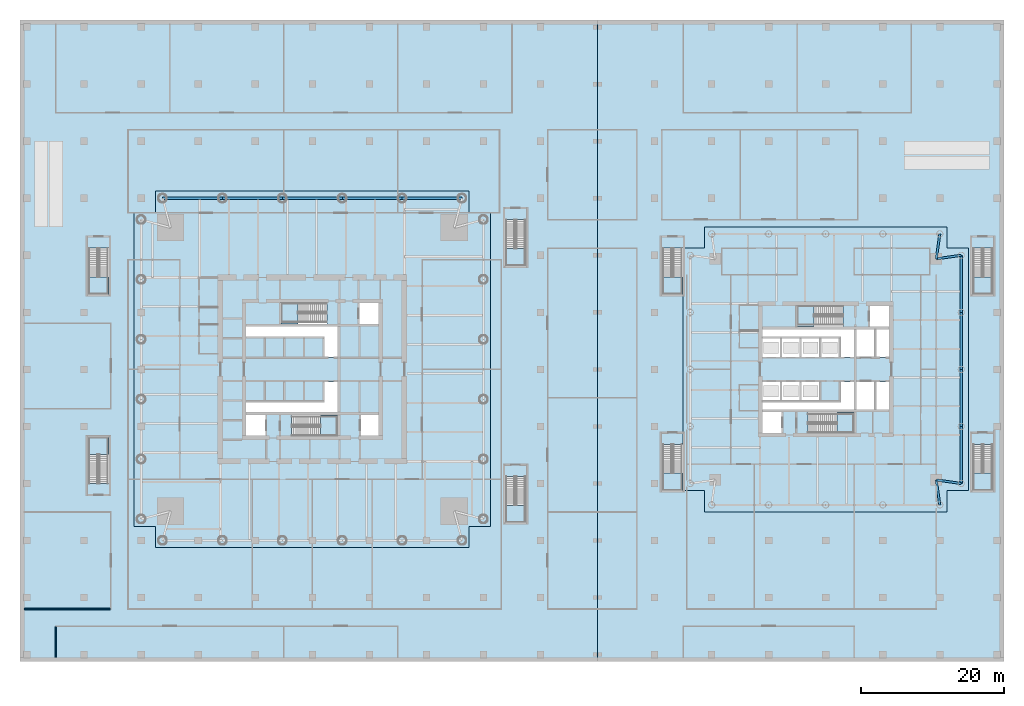
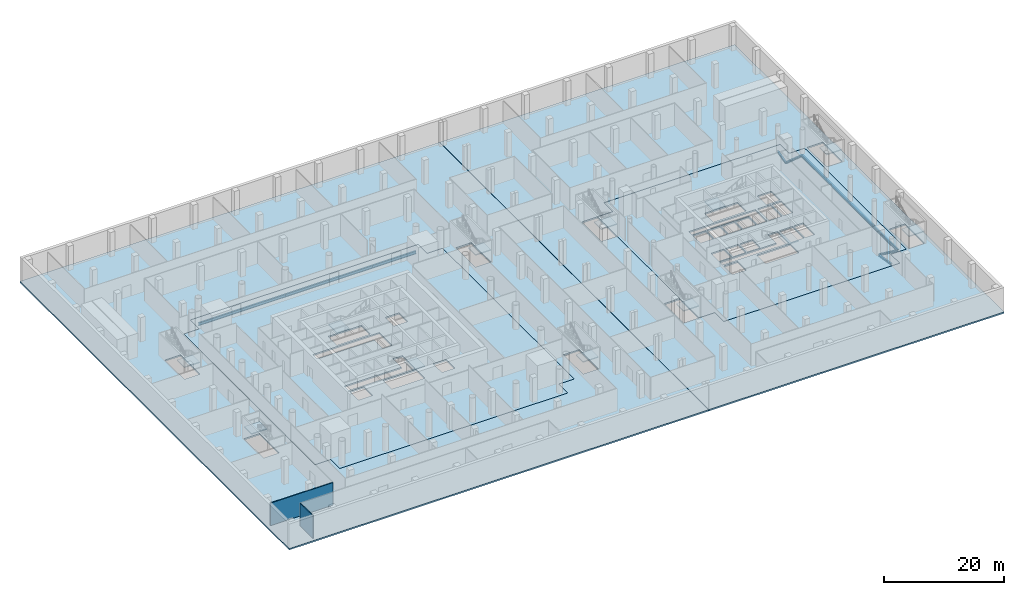
# One storey, part 6 of 22: 16 slabs, 13 beams, 2 walls, 12 elements without a shape of their own.
"""IFC4 building model written with IfcOpenShell, lengths in metres."""

from ifc_helpers import new_model, si_unit, direction, frame, frame_2d, origin, origin_2d, place, context, subcontext, project, spatial, polyline, rectangle, i_section, outline, extrude, material, layer, layer_set, material_profile, profile_set, type_object, element, aggregate, save


model = new_model("IFC4")

# Units and contexts
model_context = context("Model", 3, precision=1e-05, world=origin(), true_north=direction((0.0, 1.0)))
body_context = subcontext(model_context, "Body", "Model", "MODEL_VIEW")
ifc_project = project(units=[si_unit("LENGTHUNIT", "METRE"), si_unit("AREAUNIT", "SQUARE_METRE"), si_unit("VOLUMEUNIT", "CUBIC_METRE"), si_unit("PLANEANGLEUNIT", "RADIAN"), si_unit("MASSUNIT", "GRAM", prefix="KILO")], contexts=[model_context])

# Site, building, storey
site_placement = place(None, origin())
site = spatial("IfcSite", under=ifc_project, at=site_placement, CompositionType="ELEMENT")
building_placement = place(site_placement, origin())
building = spatial("IfcBuilding", under=site, at=building_placement, Name="Ostroluk Exchange", CompositionType="ELEMENT")
storey_placement = place(building_placement, frame((0.0, 0.0, -5.0)))
storey = spatial("IfcBuildingStorey", under=building, at=storey_placement, Name="B1", CompositionType="ELEMENT", Elevation=-5.0)

# Beams
ifc_material_1 = material(Name="Steel S355", Category="steel")
ifc_material_profile_1 = material_profile(ifc_material_1, i_section(OverallWidth=0.300048828125, OverallDepth=0.39990234375, WebThickness=0.013427734375, FlangeThickness=0.02392578125, FilletRadius=0.027099609375, at=origin_2d()), Name="HEB 400")
ifc_profile_set_1 = profile_set([ifc_material_profile_1], Name="Steel S355")
beam_type_1 = type_object("IfcBeamType", Name="Corner edge beam HEB 400", PredefinedType="SPANDREL", material=ifc_profile_set_1)
for number, where, z_axis, x_axis, name in (
    (1, (132.5, 61.5, -0.5), (0.989949493661, 0.141421356237, 0.0), (-0.141421356237, 0.989949493661, 0.0), "T2 east corner edge beam a"),
    (2, (132.5, 61.5, -0.5), (0.141421356237, 0.989949493661, 0.0), (-0.989949493661, 0.141421356237, 0.0), "T2 east corner edge beam b"),
    (3, (132.5, 30.5, -0.5), (0.141421356237, -0.989949493661, 0.0), (0.989949493661, 0.141421356237, 0.0), "T2 south corner edge beam a"),
    (4, (132.5, 30.5, -0.5), (0.989949493661, -0.141421356237, 0.0), (0.141421356237, 0.989949493661, 0.0), "T2 south corner edge beam b"),
):
    element("IfcBeam", number, at=place(storey_placement, frame(where, z_axis=z_axis, x_axis=x_axis)), inside=storey, type_object=beam_type_1, Name=name, PredefinedType="SPANDREL", context=body_context, shape_type="SweptSolid", body=[
        extrude(i_section(OverallWidth=0.300048828125, OverallDepth=0.39990234375, WebThickness=0.013427734375, FlangeThickness=0.02392578125, FilletRadius=0.027099609375, at=origin_2d()), origin(), (0.0, 0.0, 1.0), 3.53564453125),
    ])
ifc_material_2 = material(Name="Steel S355", Category="steel")
ifc_material_profile_2 = material_profile(ifc_material_2, i_section(OverallWidth=0.300048828125, OverallDepth=0.550048828125, WebThickness=0.014892578125, FlangeThickness=0.029052734375, FilletRadius=0.027099609375, at=origin_2d()), Name="HEB 550")
ifc_profile_set_2 = profile_set([ifc_material_profile_2], Name="Steel S355")
beam_type_2 = type_object("IfcBeamType", Name="Moment-connected edge beam HEB 550", PredefinedType="SPANDREL", material=ifc_profile_set_2)
for number, where, z_axis, x_axis, name in (
    (5, (136.0, 30.0, -0.574951171875), (0.0, 1.0, 0.0), (-1.0, 0.0, 0.0), "T2 east edge beam 1"),
    (6, (136.0, 38.0, -0.574951171875), (0.0, 1.0, 0.0), (-1.0, 0.0, 0.0), "T2 east edge beam 2"),
    (7, (136.0, 46.0, -0.574951171875), (0.0, 1.0, 0.0), (-1.0, 0.0, 0.0), "T2 east edge beam 3"),
    (8, (136.0, 54.0, -0.574951171875), (0.0, 1.0, 0.0), (-1.0, 0.0, 0.0), "T2 east edge beam 4"),
):
    element("IfcBeam", number, at=place(storey_placement, frame(where, z_axis=z_axis, x_axis=x_axis)), inside=storey, type_object=beam_type_2, Name=name, PredefinedType="SPANDREL", context=body_context, shape_type="SweptSolid", body=[
        extrude(i_section(OverallWidth=0.300048828125, OverallDepth=0.550048828125, WebThickness=0.014892578125, FlangeThickness=0.029052734375, FilletRadius=0.027099609375, at=origin_2d()), origin(), (0.0, 0.0, 1.0), 8.0),
    ])
ifc_material_3 = material(Name="Steel S355", Category="steel")
ifc_material_profile_3 = material_profile(ifc_material_3, i_section(OverallWidth=0.300048828125, OverallDepth=0.60009765625, WebThickness=0.015380859375, FlangeThickness=0.030029296875, FilletRadius=0.027099609375, at=origin_2d()), Name="HEB 600")
ifc_profile_set_3 = profile_set([ifc_material_profile_3], Name="Steel S355")
beam_type_3 = type_object("IfcBeamType", Name="Moment-connected edge beam HEB 600", PredefinedType="SPANDREL", material=ifc_profile_set_3)
beam_1_placement = place(storey_placement, frame((66.0, 70.0, -0.60009765625), z_axis=(-1.0, 0.0, 0.0), x_axis=(0.0, -1.0, 0.0)))
element("IfcBeam", 9, at=beam_1_placement, inside=storey, type_object=beam_type_3, Name="T1 north edge beam 1", PredefinedType="SPANDREL", context=body_context, shape_type="SweptSolid", body=[
    extrude(i_section(OverallWidth=0.300048828125, OverallDepth=0.60009765625, WebThickness=0.015380859375, FlangeThickness=0.030029296875, FilletRadius=0.027099609375, at=origin_2d()), origin(), (0.0, 0.0, 1.0), 8.39990234375),
])
beam_2_placement = place(storey_placement, frame((57.60009765625, 70.0, -0.60009765625), z_axis=(-1.0, 0.0, 0.0), x_axis=(0.0, -1.0, 0.0)))
element("IfcBeam", 10, at=beam_2_placement, inside=storey, type_object=beam_type_3, Name="T1 north edge beam 2", PredefinedType="SPANDREL", context=body_context, shape_type="SweptSolid", body=[
    extrude(i_section(OverallWidth=0.300048828125, OverallDepth=0.60009765625, WebThickness=0.015380859375, FlangeThickness=0.030029296875, FilletRadius=0.027099609375, at=origin_2d()), origin(), (0.0, 0.0, 1.0), 8.400146484375),
])
beam_3_placement = place(storey_placement, frame((49.199951171875, 70.0, -0.60009765625), z_axis=(-1.0, 0.0, 0.0), x_axis=(0.0, -1.0, 0.0)))
element("IfcBeam", 11, at=beam_3_placement, inside=storey, type_object=beam_type_3, Name="T1 north edge beam 3", PredefinedType="SPANDREL", context=body_context, shape_type="SweptSolid", body=[
    extrude(i_section(OverallWidth=0.300048828125, OverallDepth=0.60009765625, WebThickness=0.015380859375, FlangeThickness=0.030029296875, FilletRadius=0.027099609375, at=origin_2d()), origin(), (0.0, 0.0, 1.0), 8.39990234375),
])
beam_4_placement = place(storey_placement, frame((40.800048828125, 70.0, -0.60009765625), z_axis=(-1.0, 0.0, 0.0), x_axis=(0.0, -1.0, 0.0)))
element("IfcBeam", 12, at=beam_4_placement, inside=storey, type_object=beam_type_3, Name="T1 north edge beam 4", PredefinedType="SPANDREL", context=body_context, shape_type="SweptSolid", body=[
    extrude(i_section(OverallWidth=0.300048828125, OverallDepth=0.60009765625, WebThickness=0.015380859375, FlangeThickness=0.030029296875, FilletRadius=0.027099609375, at=origin_2d()), origin(), (0.0, 0.0, 1.0), 8.400146484375),
])
beam_5_placement = place(storey_placement, frame((32.39990234375, 70.0, -0.60009765625), z_axis=(-1.0, 0.0, 0.0), x_axis=(0.0, -1.0, 0.0)))
element("IfcBeam", 13, at=beam_5_placement, inside=storey, type_object=beam_type_3, Name="T1 north edge beam 5", PredefinedType="SPANDREL", context=body_context, shape_type="SweptSolid", body=[
    extrude(i_section(OverallWidth=0.300048828125, OverallDepth=0.60009765625, WebThickness=0.015380859375, FlangeThickness=0.030029296875, FilletRadius=0.027099609375, at=origin_2d()), origin(), (0.0, 0.0, 1.0), 8.39990234375),
])

# Slabs
ifc_material_4 = material(Name="Concrete C35/45", Category="concrete")
ifc_layer_1 = layer(ifc_material_4, 0.300048828125)
ifc_layer_set_1 = layer_set([ifc_layer_1], Name="Podium flat slab 300")
slab_type_1 = type_object("IfcSlabType", Name="Podium flat slab 300", PredefinedType="FLOOR", material=ifc_layer_set_1)
slab_1_placement = place(storey_placement, frame((0.0, 0.0, -0.300048828125)))
element("IfcSlab", 14, at=slab_1_placement, inside=storey, type_object=slab_type_1, Name="Podium slab B1", PredefinedType="FLOOR", context=body_context, shape_type="SweptSolid", body=[
    extrude(outline(polyline([(84.97509765625, 95.0), (84.97509765625, 5.0), (4.0, 5.0), (4.0, 95.0), (84.97509765625, 95.0)]), holes=[polyline([(23.0, 24.0), (23.0, 21.0), (67.0, 21.0), (67.0, 24.0), (70.0, 24.0), (70.0, 68.0), (67.0, 68.0), (67.0, 71.0), (23.0, 71.0), (23.0, 68.0), (20.0, 68.0), (20.0, 24.0), (23.0, 24.0)]), polyline([(16.5, 36.5), (13.5, 36.5), (13.5, 30.010009765625), (16.5, 30.010009765625), (16.5, 36.5)]), polyline([(16.5, 56.5), (16.5, 62.989990234375), (13.5, 62.989990234375), (13.5, 56.5), (16.5, 56.5)]), polyline([(72.0, 24.5), (75.0, 24.5), (75.0, 30.989990234375), (72.0, 30.989990234375), (72.0, 24.5)]), polyline([(72.0, 66.989990234375), (72.0, 60.5), (75.0, 60.5), (75.0, 66.989990234375), (72.0, 66.989990234375)])]), origin(), (0.0, 0.0, 1.0), 0.300048828125),
])
slab_2_placement = place(storey_placement, frame((0.0, 0.0, -0.300048828125)))
element("IfcSlab", 15, at=slab_2_placement, inside=storey, type_object=slab_type_1, Name="Podium slab B1", PredefinedType="FLOOR", context=body_context, shape_type="SweptSolid", body=[
    extrude(outline(polyline([(142.0, 95.0), (142.0, 5.0), (85.02490234375, 5.0), (85.02490234375, 95.0), (142.0, 95.0)]), holes=[polyline([(97.0, 62.989990234375), (94.0, 62.989990234375), (94.0, 56.5), (97.0, 56.5), (97.0, 35.489990234375), (94.0, 35.489990234375), (94.0, 29.0), (100.0, 29.0), (100.0, 26.0), (134.0, 26.0), (134.0, 29.0), (137.0, 29.0), (137.0, 63.0), (134.0, 63.0), (134.0, 66.0), (100.0, 66.0), (100.0, 63.0), (97.0, 63.0), (97.0, 62.989990234375)]), polyline([(137.5, 29.0), (140.5, 29.0), (140.5, 35.489990234375), (137.5, 35.489990234375), (137.5, 29.0)]), polyline([(137.5, 62.989990234375), (137.5, 56.5), (140.5, 56.5), (140.5, 62.989990234375), (137.5, 62.989990234375)])]), origin(), (0.0, 0.0, 1.0), 0.300048828125),
])

# Stair, slab
ifc_material_5 = material(Name="Concrete C30/37", Category="concrete")
stair_type = type_object("IfcStairType", Name="Exit stair half turn 5000", PredefinedType="HALF_TURN_STAIR", material=ifc_material_5)
stair_1_placement = place(storey_placement, origin())
stair_1 = element("IfcStair", 16, at=stair_1_placement, inside=storey, type_object=stair_type, Name="Stair T1-S1 B1", PredefinedType="HALF_TURN_STAIR")
ifc_material_6 = material(Name="Concrete C30/37", Category="concrete")
ifc_layer_2 = layer(ifc_material_6, 0.199951171875)
ifc_layer_set_2 = layer_set([ifc_layer_2], Name="Stair landing 200")
slab_type_2 = type_object("IfcSlabType", Name="Stair landing 200", PredefinedType="LANDING", material=ifc_layer_set_2)
slab_3_placement = place(storey_placement, frame((0.0, 0.0, 2.300048828125)))
slab_3 = element("IfcSlab", 17, at=slab_3_placement, type_object=slab_type_2, Name="T1-S1 landing 1", PredefinedType="LANDING", context=body_context, shape_type="SweptSolid", body=[
    extrude(outline(polyline([(46.159912109375, 36.699951171875), (46.159912109375, 39.60009765625), (48.530029296875, 39.60009765625), (48.530029296875, 36.699951171875), (46.159912109375, 36.699951171875)])), origin(), (0.0, 0.0, 1.0), 0.199951171875),
])
aggregate(stair_1, [slab_3])

stair_2_placement = place(storey_placement, origin())
stair_2 = element("IfcStair", 18, at=stair_2_placement, inside=storey, type_object=stair_type, Name="Stair T1-S2 B1", PredefinedType="HALF_TURN_STAIR")
slab_4_placement = place(storey_placement, frame((0.0, 0.0, 2.300048828125)))
slab_4 = element("IfcSlab", 19, at=slab_4_placement, type_object=slab_type_2, Name="T1-S2 landing 1", PredefinedType="LANDING", context=body_context, shape_type="SweptSolid", body=[
    extrude(outline(polyline([(42.969970703125, 52.39990234375), (42.969970703125, 55.300048828125), (40.60009765625, 55.300048828125), (40.60009765625, 52.39990234375), (42.969970703125, 52.39990234375)])), origin(), (0.0, 0.0, 1.0), 0.199951171875),
])
aggregate(stair_2, [slab_4])

stair_3_placement = place(storey_placement, origin())
stair_3 = element("IfcStair", 20, at=stair_3_placement, inside=storey, type_object=stair_type, Name="Stair T2-S1 B1", PredefinedType="HALF_TURN_STAIR")
slab_5_placement = place(storey_placement, frame((0.0, 0.0, 2.300048828125)))
slab_5 = element("IfcSlab", 21, at=slab_5_placement, type_object=slab_type_2, Name="T2-S1 landing 1", PredefinedType="LANDING", context=body_context, shape_type="SweptSolid", body=[
    extrude(outline(polyline([(118.56005859375, 37.10009765625), (118.56005859375, 40.0), (120.929931640625, 40.0), (120.929931640625, 37.10009765625), (118.56005859375, 37.10009765625)])), origin(), (0.0, 0.0, 1.0), 0.199951171875),
])
aggregate(stair_3, [slab_5])

stair_4_placement = place(storey_placement, origin())
stair_4 = element("IfcStair", 22, at=stair_4_placement, inside=storey, type_object=stair_type, Name="Stair T2-S2 B1", PredefinedType="HALF_TURN_STAIR")
slab_6_placement = place(storey_placement, frame((0.0, 0.0, 2.300048828125)))
slab_6 = element("IfcSlab", 23, at=slab_6_placement, type_object=slab_type_2, Name="T2-S2 landing 1", PredefinedType="LANDING", context=body_context, shape_type="SweptSolid", body=[
    extrude(outline(polyline([(115.3701171875, 52.0), (115.3701171875, 54.89990234375), (113.0, 54.89990234375), (113.0, 52.0), (115.3701171875, 52.0)])), origin(), (0.0, 0.0, 1.0), 0.199951171875),
])
aggregate(stair_4, [slab_6])

stair_5_placement = place(storey_placement, origin())
stair_5 = element("IfcStair", 24, at=stair_5_placement, inside=storey, type_object=stair_type, Name="Stair PS1 B1", PredefinedType="HALF_TURN_STAIR")
slab_7_placement = place(storey_placement, frame((0.0, 0.0, 2.300048828125)))
slab_7 = element("IfcSlab", 25, at=slab_7_placement, type_object=slab_type_2, Name="PS1 landing 1", PredefinedType="LANDING", context=body_context, shape_type="SweptSolid", body=[
    extrude(outline(polyline([(13.5, 34.06005859375), (16.5, 34.06005859375), (16.5, 36.5), (13.5, 36.5), (13.5, 34.06005859375)])), origin(), (0.0, 0.0, 1.0), 0.199951171875),
])
aggregate(stair_5, [slab_7])

stair_6_placement = place(storey_placement, origin())
stair_6 = element("IfcStair", 26, at=stair_6_placement, inside=storey, type_object=stair_type, Name="Stair PS2 B1", PredefinedType="HALF_TURN_STAIR")
slab_8_placement = place(storey_placement, frame((0.0, 0.0, 2.300048828125)))
slab_8 = element("IfcSlab", 27, at=slab_8_placement, type_object=slab_type_2, Name="PS2 landing 1", PredefinedType="LANDING", context=body_context, shape_type="SweptSolid", body=[
    extrude(outline(polyline([(13.5, 58.93994140625), (16.5, 58.93994140625), (16.5, 56.5), (13.5, 56.5), (13.5, 58.93994140625)])), origin(), (0.0, 0.0, 1.0), 0.199951171875),
])
aggregate(stair_6, [slab_8])

stair_7_placement = place(storey_placement, origin())
stair_7 = element("IfcStair", 28, at=stair_7_placement, inside=storey, type_object=stair_type, Name="Stair PS3 B1", PredefinedType="HALF_TURN_STAIR")
slab_9_placement = place(storey_placement, frame((0.0, 0.0, 2.300048828125)))
slab_9 = element("IfcSlab", 29, at=slab_9_placement, type_object=slab_type_2, Name="PS3 landing 1", PredefinedType="LANDING", context=body_context, shape_type="SweptSolid", body=[
    extrude(outline(polyline([(72.0, 26.93994140625), (75.0, 26.93994140625), (75.0, 24.5), (72.0, 24.5), (72.0, 26.93994140625)])), origin(), (0.0, 0.0, 1.0), 0.199951171875),
])
aggregate(stair_7, [slab_9])

stair_8_placement = place(storey_placement, origin())
stair_8 = element("IfcStair", 30, at=stair_8_placement, inside=storey, type_object=stair_type, Name="Stair PS4 B1", PredefinedType="HALF_TURN_STAIR")
slab_10_placement = place(storey_placement, frame((0.0, 0.0, 2.300048828125)))
slab_10 = element("IfcSlab", 31, at=slab_10_placement, type_object=slab_type_2, Name="PS4 landing 1", PredefinedType="LANDING", context=body_context, shape_type="SweptSolid", body=[
    extrude(outline(polyline([(72.0, 62.93994140625), (75.0, 62.93994140625), (75.0, 60.5), (72.0, 60.5), (72.0, 62.93994140625)])), origin(), (0.0, 0.0, 1.0), 0.199951171875),
])
aggregate(stair_8, [slab_10])

stair_9_placement = place(storey_placement, origin())
stair_9 = element("IfcStair", 32, at=stair_9_placement, inside=storey, type_object=stair_type, Name="Stair PS5 B1", PredefinedType="HALF_TURN_STAIR")
slab_11_placement = place(storey_placement, frame((0.0, 0.0, 2.300048828125)))
slab_11 = element("IfcSlab", 33, at=slab_11_placement, type_object=slab_type_2, Name="PS5 landing 1", PredefinedType="LANDING", context=body_context, shape_type="SweptSolid", body=[
    extrude(outline(polyline([(94.0, 31.43994140625), (97.0, 31.43994140625), (97.0, 29.0), (94.0, 29.0), (94.0, 31.43994140625)])), origin(), (0.0, 0.0, 1.0), 0.199951171875),
])
aggregate(stair_9, [slab_11])

stair_10_placement = place(storey_placement, origin())
stair_10 = element("IfcStair", 34, at=stair_10_placement, inside=storey, type_object=stair_type, Name="Stair PS6 B1", PredefinedType="HALF_TURN_STAIR")
slab_12_placement = place(storey_placement, frame((0.0, 0.0, 2.300048828125)))
slab_12 = element("IfcSlab", 35, at=slab_12_placement, type_object=slab_type_2, Name="PS6 landing 1", PredefinedType="LANDING", context=body_context, shape_type="SweptSolid", body=[
    extrude(outline(polyline([(94.0, 58.93994140625), (97.0, 58.93994140625), (97.0, 56.5), (94.0, 56.5), (94.0, 58.93994140625)])), origin(), (0.0, 0.0, 1.0), 0.199951171875),
])
aggregate(stair_10, [slab_12])

stair_11_placement = place(storey_placement, origin())
stair_11 = element("IfcStair", 36, at=stair_11_placement, inside=storey, type_object=stair_type, Name="Stair PS7 B1", PredefinedType="HALF_TURN_STAIR")
slab_13_placement = place(storey_placement, frame((0.0, 0.0, 2.300048828125)))
slab_13 = element("IfcSlab", 37, at=slab_13_placement, type_object=slab_type_2, Name="PS7 landing 1", PredefinedType="LANDING", context=body_context, shape_type="SweptSolid", body=[
    extrude(outline(polyline([(137.5, 31.43994140625), (140.5, 31.43994140625), (140.5, 29.0), (137.5, 29.0), (137.5, 31.43994140625)])), origin(), (0.0, 0.0, 1.0), 0.199951171875),
])
aggregate(stair_11, [slab_13])

stair_12_placement = place(storey_placement, origin())
stair_12 = element("IfcStair", 38, at=stair_12_placement, inside=storey, type_object=stair_type, Name="Stair PS8 B1", PredefinedType="HALF_TURN_STAIR")
slab_14_placement = place(storey_placement, frame((0.0, 0.0, 2.300048828125)))
slab_14 = element("IfcSlab", 39, at=slab_14_placement, type_object=slab_type_2, Name="PS8 landing 1", PredefinedType="LANDING", context=body_context, shape_type="SweptSolid", body=[
    extrude(outline(polyline([(137.5, 58.93994140625), (140.5, 58.93994140625), (140.5, 56.5), (137.5, 56.5), (137.5, 58.93994140625)])), origin(), (0.0, 0.0, 1.0), 0.199951171875),
])
aggregate(stair_12, [slab_14])

# Slabs
ifc_material_7 = material(Name="Concrete C35/45", Category="concrete")
ifc_layer_3 = layer(ifc_material_7, 0.300048828125)
ifc_layer_set_3 = layer_set([ifc_layer_3], Name="Tower floor slab 300")
slab_type_3 = type_object("IfcSlabType", Name="Tower floor slab 300", PredefinedType="FLOOR", material=ifc_layer_set_3)
slab_15_placement = place(storey_placement, frame((0.0, 0.0, -0.300048828125)))
element("IfcSlab", 40, at=slab_15_placement, inside=storey, type_object=slab_type_3, Name="Office tower floor slab B1", PredefinedType="FLOOR", context=body_context, shape_type="SweptSolid", body=[
    extrude(outline(polyline([(23.0, 21.0), (67.0, 21.0), (67.0, 24.0), (70.0, 24.0), (70.0, 68.0), (67.0, 68.0), (67.0, 71.0), (23.0, 71.0), (23.0, 68.0), (20.0, 68.0), (20.0, 24.0), (23.0, 24.0), (23.0, 21.0)]), holes=[polyline([(35.699951171875, 36.699951171875), (38.39990234375, 36.699951171875), (38.39990234375, 39.60009765625), (35.699951171875, 39.60009765625), (35.699951171875, 36.699951171875)]), polyline([(42.110107421875, 36.699951171875), (48.530029296875, 36.699951171875), (48.530029296875, 39.60009765625), (42.110107421875, 39.60009765625), (42.110107421875, 36.699951171875)]), polyline([(51.800048828125, 36.699951171875), (54.300048828125, 36.699951171875), (54.300048828125, 39.60009765625), (51.800048828125, 39.60009765625), (51.800048828125, 36.699951171875)]), polyline([(40.60009765625, 52.39990234375), (47.02001953125, 52.39990234375), (47.02001953125, 55.300048828125), (40.60009765625, 55.300048828125), (40.60009765625, 52.39990234375)]), polyline([(51.60009765625, 52.39990234375), (54.300048828125, 52.39990234375), (54.300048828125, 55.300048828125), (51.60009765625, 55.300048828125), (51.60009765625, 52.39990234375)]), polyline([(48.530029296875, 52.0), (48.530029296875, 47.75), (46.699951171875, 47.75), (46.699951171875, 50.60009765625), (35.699951171875, 50.60009765625), (35.699951171875, 52.0), (48.530029296875, 52.0)]), polyline([(35.699951171875, 40.0), (35.699951171875, 41.39990234375), (46.699951171875, 41.39990234375), (46.699951171875, 44.25), (48.530029296875, 44.25), (48.530029296875, 40.0), (35.699951171875, 40.0)])]), origin(), (0.0, 0.0, 1.0), 0.300048828125),
])
slab_16_placement = place(storey_placement, frame((0.0, 0.0, -0.300048828125)))
element("IfcSlab", 41, at=slab_16_placement, inside=storey, type_object=slab_type_3, Name="Hotel tower floor slab B1", PredefinedType="FLOOR", context=body_context, shape_type="SweptSolid", body=[
    extrude(outline(polyline([(100.0, 26.0), (134.0, 26.0), (134.0, 29.0), (137.0, 29.0), (137.0, 63.0), (134.0, 63.0), (134.0, 66.0), (100.0, 66.0), (100.0, 63.0), (97.0, 63.0), (97.0, 29.0), (100.0, 29.0), (100.0, 26.0)]), holes=[polyline([(108.10009765625, 37.10009765625), (110.800048828125, 37.10009765625), (110.800048828125, 40.0), (108.10009765625, 40.0), (108.10009765625, 37.10009765625)]), polyline([(114.510009765625, 37.10009765625), (120.929931640625, 37.10009765625), (120.929931640625, 40.0), (114.510009765625, 40.0), (114.510009765625, 37.10009765625)]), polyline([(113.0, 52.0), (119.419921875, 52.0), (119.419921875, 54.89990234375), (113.0, 54.89990234375), (113.0, 52.0)]), polyline([(123.199951171875, 52.0), (125.89990234375, 52.0), (125.89990234375, 54.89990234375), (123.199951171875, 54.89990234375), (123.199951171875, 52.0)]), polyline([(108.10009765625, 47.75), (110.60009765625, 47.75), (110.60009765625, 50.35009765625), (108.10009765625, 50.35009765625), (108.10009765625, 47.75)]), polyline([(110.85009765625, 47.75), (113.35009765625, 47.75), (113.35009765625, 50.35009765625), (110.85009765625, 50.35009765625), (110.85009765625, 47.75)]), polyline([(113.60009765625, 47.75), (116.10009765625, 47.75), (116.10009765625, 50.35009765625), (113.60009765625, 50.35009765625), (113.60009765625, 47.75)]), polyline([(116.35009765625, 47.75), (118.85009765625, 47.75), (118.85009765625, 50.35009765625), (116.35009765625, 50.35009765625), (116.35009765625, 47.75)]), polyline([(108.10009765625, 41.64990234375), (110.60009765625, 41.64990234375), (110.60009765625, 44.25), (108.10009765625, 44.25), (108.10009765625, 41.64990234375)]), polyline([(110.85009765625, 41.64990234375), (113.35009765625, 41.64990234375), (113.35009765625, 44.25), (110.85009765625, 44.25), (110.85009765625, 41.64990234375)]), polyline([(113.60009765625, 41.64990234375), (116.10009765625, 41.64990234375), (116.10009765625, 44.25), (113.60009765625, 44.25), (113.60009765625, 41.64990234375)]), polyline([(121.330078125, 47.75), (123.830078125, 47.75), (123.830078125, 51.60009765625), (121.330078125, 51.60009765625), (121.330078125, 47.75)]), polyline([(121.330078125, 40.39990234375), (123.830078125, 40.39990234375), (123.830078125, 44.25), (121.330078125, 44.25), (121.330078125, 40.39990234375)]), polyline([(120.929931640625, 51.60009765625), (120.929931640625, 47.75), (119.10009765625, 47.75), (119.10009765625, 50.60009765625), (108.10009765625, 50.60009765625), (108.10009765625, 51.60009765625), (120.929931640625, 51.60009765625)]), polyline([(108.10009765625, 40.39990234375), (108.10009765625, 41.39990234375), (119.10009765625, 41.39990234375), (119.10009765625, 44.25), (120.929931640625, 44.25), (120.929931640625, 40.39990234375), (108.10009765625, 40.39990234375)]), polyline([(124.080078125, 47.75), (125.89990234375, 47.75), (125.89990234375, 51.60009765625), (124.080078125, 51.60009765625), (124.080078125, 47.75)]), polyline([(124.080078125, 40.39990234375), (125.89990234375, 40.39990234375), (125.89990234375, 44.25), (124.080078125, 44.25), (124.080078125, 40.39990234375)])]), origin(), (0.0, 0.0, 1.0), 0.300048828125),
])

# Walls
ifc_material_8 = material(Name="Gypsum plasterboard partition", Category="gypsum")
ifc_layer_4 = layer(ifc_material_8, 0.14990234375)
ifc_layer_set_4 = layer_set([ifc_layer_4], Name="Plasterboard partition 150")
wall_type = type_object("IfcWallType", Name="Plasterboard partition 150", PredefinedType="PARTITIONING", material=ifc_layer_set_4)
wall_1_placement = place(storey_placement, frame((9.0, 9.925048828125, 0.0), z_axis=(0.0, 0.0, 1.0), x_axis=(0.0, -1.0, 0.0)))
element("IfcWall", 42, at=wall_1_placement, inside=storey, type_object=wall_type, Name="Partition", PredefinedType="PARTITIONING", context=body_context, shape_type="SweptSolid", body=[
    extrude(rectangle(XDim=4.324951171875, YDim=0.14990234375, at=frame_2d((2.16259765625, 0.0))), origin(), (0.0, 0.0, 1.0), 4.60009765625),
])
wall_2_placement = place(storey_placement, frame((4.60009765625, 12.39990234375, 0.0), z_axis=(0.0, 0.0, 1.0), x_axis=(1.0, 0.0, 0.0)))
element("IfcWall", 43, at=wall_2_placement, inside=storey, type_object=wall_type, Name="Partition", PredefinedType="PARTITIONING", context=body_context, shape_type="SweptSolid", body=[
    extrude(rectangle(XDim=12.074951171875, YDim=0.14990234375, at=frame_2d((6.03759765625, 0.0))), origin(), (0.0, 0.0, 1.0), 4.60009765625),
])

save(model, "model.ifc")
